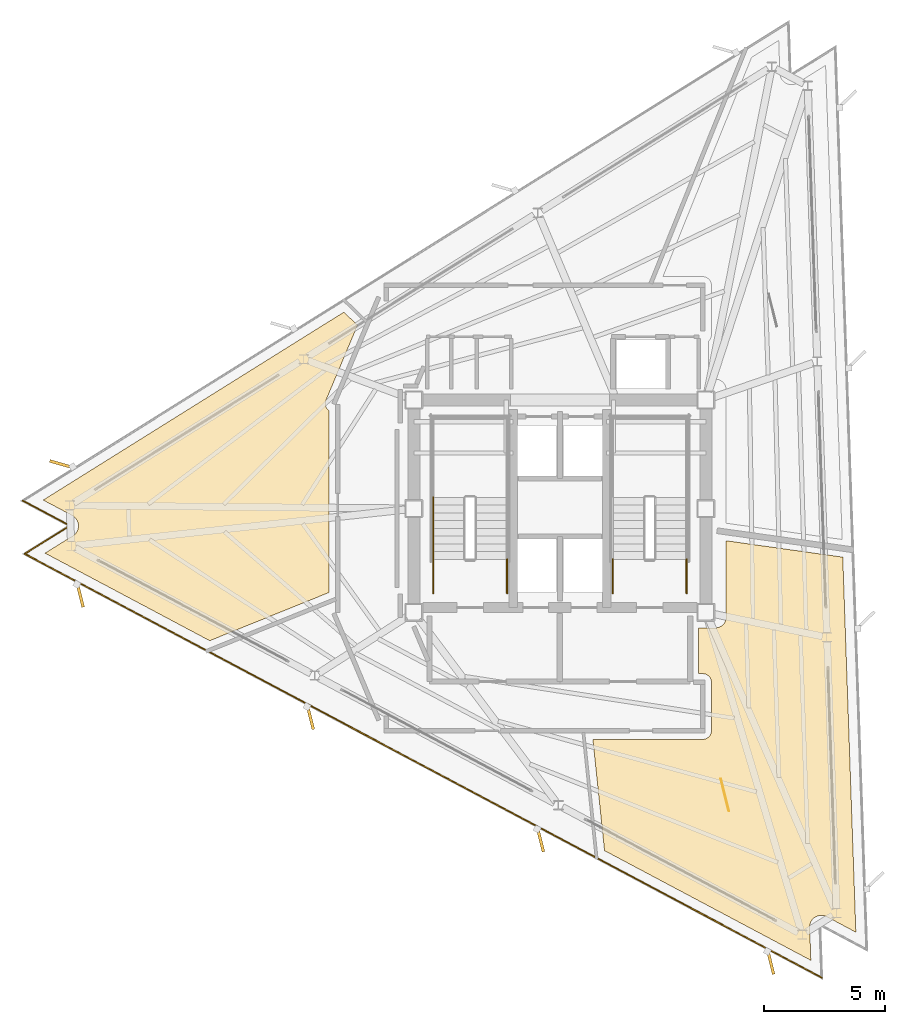
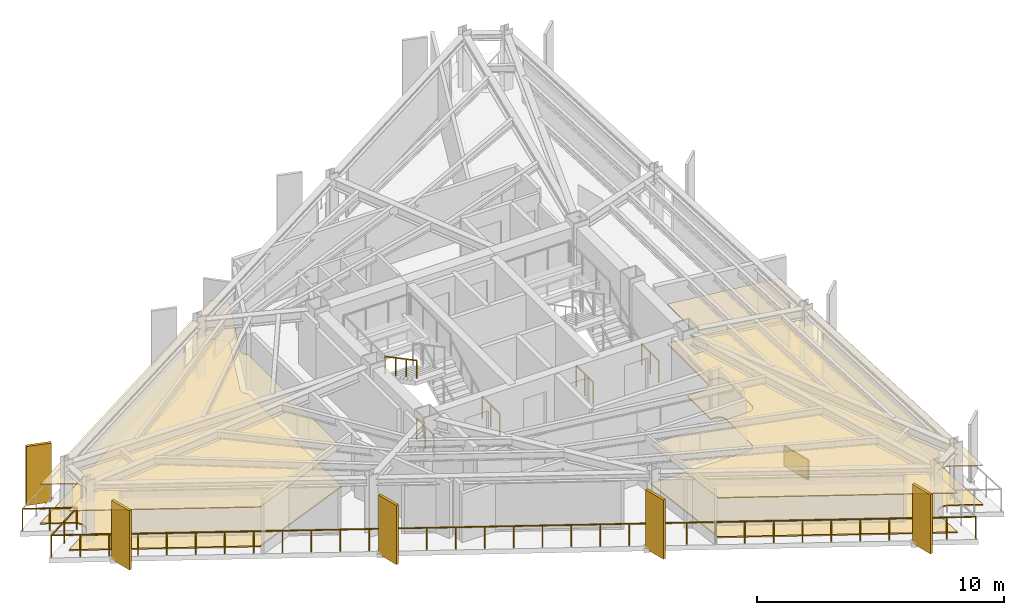
# One storey, part 11 of 13: 6 railings, 5 coverings, 5 shading devices.
"""IFC4 building model written with IfcOpenShell, lengths in metres."""

from ifc_helpers import new_model, si_unit, direction, frame, origin, origin_2d, place, context, subcontext, project, spatial, polyline, rectangle, outline, extrude, material, layer, layer_set, type_object, element, save


model = new_model("IFC4")

# Units and contexts
model_context = context("Model", 3, precision=1e-05, world=origin(), true_north=direction((0.0, 1.0)))
body_context = subcontext(model_context, "Body", "Model", "MODEL_VIEW")
ifc_project = project(units=[si_unit("LENGTHUNIT", "METRE"), si_unit("AREAUNIT", "SQUARE_METRE"), si_unit("VOLUMEUNIT", "CUBIC_METRE"), si_unit("PLANEANGLEUNIT", "RADIAN"), si_unit("MASSUNIT", "GRAM", prefix="KILO")], contexts=[model_context])

# Site, building, storey
site_placement = place(None, origin())
site = spatial("IfcSite", under=ifc_project, at=site_placement, CompositionType="ELEMENT")
building_placement = place(site_placement, origin())
building = spatial("IfcBuilding", under=site, at=building_placement, Name="Rocaltana Carrier Exchange", CompositionType="ELEMENT")
storey_placement = place(building_placement, frame((0.0, 0.0, 202.719970703125)))
storey = spatial("IfcBuildingStorey", under=building, at=storey_placement, Name="L64", CompositionType="ELEMENT", Elevation=202.719970703125)

# Coverings
ifc_material_1 = material(Name="Calcium Sulphate & Aluminium Pedestal", Category="aluminium")
ifc_layer_1 = layer(ifc_material_1, 0.06005859375)
ifc_layer_set_1 = layer_set([ifc_layer_1], Name="Calcium Sulphate & Aluminium Pedestal")
covering_type_1 = type_object("IfcCoveringType", Name="Anti-Static Raised Exchange Access Floor 60", PredefinedType="FLOORING", material=ifc_layer_set_1)
covering_1_placement = place(storey_placement, origin())
element("IfcCovering", 1, at=covering_1_placement, inside=storey, type_object=covering_type_1, Name="L64 Quiet Focus Lounge Finish Floor", PredefinedType="FLOORING", context=body_context, shape_type="SweptSolid", body=[
    extrude(outline(polyline([(5.739990234375, -6.840087890625), (5.739990234375, -4.93994140625), (6.449951171875, -4.93994140625), (6.463623046875, -4.939697265625), (6.4794921875, -4.93896484375), (6.5068359375, -4.936279296875), (6.522216796875, -4.933837890625), (6.54931640625, -4.928466796875), (6.564453125, -4.9248046875), (6.5908203125, -4.916748046875), (6.605712890625, -4.91162109375), (6.630859375, -4.90087890625), (6.64501953125, -4.894287109375), (6.66943359375, -4.88134765625), (6.682861328125, -4.873291015625), (6.705810546875, -4.85791015625), (6.71826171875, -4.8486328125), (6.739501953125, -4.8310546875), (6.751220703125, -4.820556640625), (6.7705078125, -4.80126953125), (6.781005859375, -4.78955078125), (6.798583984375, -4.768310546875), (6.807861328125, -4.755615234375), (6.8232421875, -4.73291015625), (6.831298828125, -4.719482421875), (6.84423828125, -4.695068359375), (6.850830078125, -4.680908203125), (6.861572265625, -4.655517578125), (6.86669921875, -4.640869140625), (6.874755859375, -4.614501953125), (6.87841796875, -4.59912109375), (6.8837890625, -4.572265625), (6.88623046875, -4.556884765625), (6.888916015625, -4.529296875), (6.8896484375, -4.513671875), (6.889892578125, -4.5), (6.889892578125, -1.331787109375), (11.7216796875, -2.010986328125), (12.264404296875, -17.55126953125), (11.055908203125, -16.90869140625), (11.04345703125, -16.902587890625), (11.025390625, -16.89404296875), (10.99951171875, -16.883544921875), (10.980712890625, -16.876708984375), (10.9541015625, -16.868896484375), (10.9345703125, -16.8642578125), (10.9072265625, -16.85888671875), (10.887451171875, -16.856201171875), (10.859619140625, -16.853515625), (10.83984375, -16.852783203125), (10.81201171875, -16.85302734375), (10.7919921875, -16.854248046875), (10.76416015625, -16.857421875), (10.744384765625, -16.860595703125), (10.71728515625, -16.8662109375), (10.697998046875, -16.871337890625), (10.67138671875, -16.8798828125), (10.652587890625, -16.886962890625), (10.627197265625, -16.89794921875), (10.609130859375, -16.906982421875), (10.584716796875, -16.92041015625), (10.56787109375, -16.930908203125), (10.544921875, -16.947021484375), (10.529296875, -16.959228515625), (10.508056640625, -16.977294921875), (10.49365234375, -16.990966796875), (10.474365234375, -17.01123046875), (10.461181640625, -17.0263671875), (10.444091796875, -17.04833984375), (10.4326171875, -17.064697265625), (10.41748046875, -17.088134765625), (10.407958984375, -17.105712890625), (10.3955078125, -17.130615234375), (10.38720703125, -17.148681640625), (10.37744140625, -17.1748046875), (10.37109375, -17.19384765625), (10.364013671875, -17.220703125), (10.359619140625, -17.240234375), (10.35498046875, -17.267822265625), (10.352783203125, -17.28759765625), (10.35107421875, -17.3154296875), (10.350830078125, -17.33544921875), (10.350830078125, -17.349365234375), (10.398681640625, -18.717041015625), (1.8515625, -14.172607421875), (1.36669921875, -9.56005859375), (5.919921875, -9.56005859375), (5.93359375, -9.559814453125), (5.941650390625, -9.559326171875), (5.968994140625, -9.556640625), (5.976806640625, -9.555419921875), (6.003662109375, -9.550048828125), (6.01123046875, -9.548095703125), (6.03759765625, -9.540283203125), (6.044921875, -9.53759765625), (6.0703125, -9.527099609375), (6.077392578125, -9.523681640625), (6.101806640625, -9.5107421875), (6.1083984375, -9.506591796875), (6.131103515625, -9.491455078125), (6.137451171875, -9.48681640625), (6.15869140625, -9.46923828125), (6.16455078125, -9.464111328125), (6.18408203125, -9.444580078125), (6.189208984375, -9.438720703125), (6.206787109375, -9.41748046875), (6.21142578125, -9.4111328125), (6.226806640625, -9.388427734375), (6.230712890625, -9.381591796875), (6.24365234375, -9.357421875), (6.2470703125, -9.350341796875), (6.257568359375, -9.324951171875), (6.26025390625, -9.317626953125), (6.268310546875, -9.291259765625), (6.27001953125, -9.28369140625), (6.275390625, -9.256591796875), (6.276611328125, -9.248779296875), (6.279296875, -9.2216796875), (6.27978515625, -9.213623046875), (6.280029296875, -9.199951171875), (6.280029296875, -7.199951171875), (6.27978515625, -7.186279296875), (6.279296875, -7.178466796875), (6.276611328125, -7.151123046875), (6.275390625, -7.143310546875), (6.27001953125, -7.116455078125), (6.268310546875, -7.108642578125), (6.26025390625, -7.08251953125), (6.257568359375, -7.0751953125), (6.2470703125, -7.0498046875), (6.24365234375, -7.04248046875), (6.230712890625, -7.018310546875), (6.226806640625, -7.01171875), (6.21142578125, -6.98876953125), (6.206787109375, -6.982421875), (6.189208984375, -6.961181640625), (6.18408203125, -6.955322265625), (6.16455078125, -6.93603515625), (6.15869140625, -6.9306640625), (6.137451171875, -6.913330078125), (6.131103515625, -6.90869140625), (6.1083984375, -6.893310546875), (6.101806640625, -6.889404296875), (6.077392578125, -6.876220703125), (6.0703125, -6.873046875), (6.044921875, -6.862548828125), (6.03759765625, -6.85986328125), (6.01123046875, -6.851806640625), (6.003662109375, -6.849853515625), (5.976806640625, -6.844482421875), (5.968994140625, -6.843505859375), (5.941650390625, -6.8408203125), (5.93359375, -6.84033203125), (5.919921875, -6.840087890625), (5.739990234375, -6.840087890625)])), origin(), (0.0, 0.0, 1.0), 0.06005859375),
])
covering_2_placement = place(storey_placement, origin())
element("IfcCovering", 2, at=covering_2_placement, inside=storey, type_object=covering_type_1, Name="L64 Quiet Focus Lounge Finish Floor", PredefinedType="FLOORING", context=body_context, shape_type="SweptSolid", body=[
    extrude(outline(polyline([(-20.17138671875, -1.120361328125), (-20.15966796875, -1.11279296875), (-20.143310546875, -1.101318359375), (-20.121337890625, -1.084228515625), (-20.106201171875, -1.0712890625), (-20.085693359375, -1.052001953125), (-20.072021484375, -1.03759765625), (-20.0537109375, -1.0166015625), (-20.04150390625, -1.000732421875), (-20.025390625, -0.97802734375), (-20.014892578125, -0.961181640625), (-20.001220703125, -0.936767578125), (-19.9921875, -0.9189453125), (-19.98095703125, -0.893310546875), (-19.973876953125, -0.874755859375), (-19.965087890625, -0.848388671875), (-19.9599609375, -0.8291015625), (-19.9541015625, -0.8017578125), (-19.95068359375, -0.781982421875), (-19.947509765625, -0.75439453125), (-19.9462890625, -0.734375), (-19.94580078125, -0.70654296875), (-19.946533203125, -0.6865234375), (-19.948974609375, -0.65869140625), (-19.95166015625, -0.638916015625), (-19.956787109375, -0.611572265625), (-19.96142578125, -0.59228515625), (-19.96923828125, -0.5654296875), (-19.9755859375, -0.546630859375), (-19.986083984375, -0.520751953125), (-19.99462890625, -0.502685546875), (-20.007568359375, -0.477783203125), (-20.017578125, -0.460693359375), (-20.033203125, -0.4375), (-20.044921875, -0.42138671875), (-20.0625, -0.399658203125), (-20.07568359375, -0.385009765625), (-20.095458984375, -0.364990234375), (-20.1103515625, -0.351806640625), (-20.1318359375, -0.333984375), (-20.14794921875, -0.322021484375), (-20.171142578125, -0.306640625), (-20.188232421875, -0.29638671875), (-20.2001953125, -0.28955078125), (-21.40869140625, 0.35302734375), (-8.947265625, 8.139892578125), (-8.384765625, 7.596435546875), (-9.69091796875, 4.489990234375), (-9.69580078125, 4.47705078125), (-9.698486328125, 4.4697265625), (-9.706787109375, 4.443603515625), (-9.70849609375, 4.435791015625), (-9.714111328125, 4.408935546875), (-9.71533203125, 4.401123046875), (-9.71826171875, 4.373779296875), (-9.718505859375, 4.365966796875), (-9.71875, 4.33837890625), (-9.718505859375, 4.330810546875), (-9.7158203125, 4.30322265625), (-9.714599609375, 4.295654296875), (-9.70947265625, 4.2685546875), (-9.70751953125, 4.260986328125), (-9.69970703125, 4.234619140625), (-9.697265625, 4.227294921875), (-9.686767578125, 4.201904296875), (-9.68359375, 4.194580078125), (-9.670654296875, 4.17041015625), (-9.666748046875, 4.16357421875), (-9.651611328125, 4.140625), (-9.64697265625, 4.134521484375), (-9.629638671875, 4.113037109375), (-9.624267578125, 4.107177734375), (-9.60498046875, 4.087646484375), (-9.59912109375, 4.082275390625), (-9.578125, 4.064697265625), (-9.57177734375, 4.06005859375), (-9.56005859375, 4.052001953125), (-9.56005859375, -3.47412109375), (-14.5087890625, -5.4736328125), (-21.33203125, -1.845703125), (-20.17138671875, -1.120361328125)])), origin(), (0.0, 0.0, 1.0), 0.06005859375),
])
ifc_material_2 = material(Name="Mineral Fibre & Powder-Coated Aluminium", Category="aluminium")
ifc_layer_2 = layer(ifc_material_2, 0.044921875)
ifc_layer_set_2 = layer_set([ifc_layer_2], Name="Mineral Fibre & Powder-Coated Aluminium")
covering_type_2 = type_object("IfcCoveringType", Name="Micro-Perforated Acoustic Ceiling 45", PredefinedType="CEILING", material=ifc_layer_set_2)
covering_3_placement = place(storey_placement, frame((0.0, 0.0, 1.943115234375)))
element("IfcCovering", 3, at=covering_3_placement, inside=storey, type_object=covering_type_2, Name="L64 Quiet Focus Lounge Acoustic Ceiling", PredefinedType="CEILING", context=body_context, shape_type="SweptSolid", body=[
    extrude(outline(polyline([(5.739990234375, -6.840087890625), (5.739990234375, -4.93994140625), (6.449951171875, -4.93994140625), (6.463623046875, -4.939697265625), (6.4794921875, -4.93896484375), (6.5068359375, -4.936279296875), (6.522216796875, -4.933837890625), (6.54931640625, -4.928466796875), (6.564453125, -4.9248046875), (6.5908203125, -4.916748046875), (6.605712890625, -4.91162109375), (6.630859375, -4.90087890625), (6.64501953125, -4.894287109375), (6.66943359375, -4.88134765625), (6.682861328125, -4.873291015625), (6.705810546875, -4.85791015625), (6.71826171875, -4.8486328125), (6.739501953125, -4.8310546875), (6.751220703125, -4.820556640625), (6.7705078125, -4.80126953125), (6.781005859375, -4.78955078125), (6.798583984375, -4.768310546875), (6.807861328125, -4.755615234375), (6.8232421875, -4.73291015625), (6.831298828125, -4.719482421875), (6.84423828125, -4.695068359375), (6.850830078125, -4.680908203125), (6.861572265625, -4.655517578125), (6.86669921875, -4.640869140625), (6.874755859375, -4.614501953125), (6.87841796875, -4.59912109375), (6.8837890625, -4.572265625), (6.88623046875, -4.556884765625), (6.888916015625, -4.529296875), (6.8896484375, -4.513671875), (6.889892578125, -4.5), (6.889892578125, -1.331787109375), (11.7216796875, -2.010986328125), (12.264404296875, -17.55126953125), (11.055908203125, -16.90869140625), (11.04345703125, -16.902587890625), (11.025390625, -16.89404296875), (10.99951171875, -16.883544921875), (10.980712890625, -16.876708984375), (10.9541015625, -16.868896484375), (10.9345703125, -16.8642578125), (10.9072265625, -16.85888671875), (10.887451171875, -16.856201171875), (10.859619140625, -16.853515625), (10.83984375, -16.852783203125), (10.81201171875, -16.85302734375), (10.7919921875, -16.854248046875), (10.76416015625, -16.857421875), (10.744384765625, -16.860595703125), (10.71728515625, -16.8662109375), (10.697998046875, -16.871337890625), (10.67138671875, -16.8798828125), (10.652587890625, -16.886962890625), (10.627197265625, -16.89794921875), (10.609130859375, -16.906982421875), (10.584716796875, -16.92041015625), (10.56787109375, -16.930908203125), (10.544921875, -16.947021484375), (10.529296875, -16.959228515625), (10.508056640625, -16.977294921875), (10.49365234375, -16.990966796875), (10.474365234375, -17.01123046875), (10.461181640625, -17.0263671875), (10.444091796875, -17.04833984375), (10.4326171875, -17.064697265625), (10.41748046875, -17.088134765625), (10.407958984375, -17.105712890625), (10.3955078125, -17.130615234375), (10.38720703125, -17.148681640625), (10.37744140625, -17.1748046875), (10.37109375, -17.19384765625), (10.364013671875, -17.220703125), (10.359619140625, -17.240234375), (10.35498046875, -17.267822265625), (10.352783203125, -17.28759765625), (10.35107421875, -17.3154296875), (10.350830078125, -17.33544921875), (10.350830078125, -17.349365234375), (10.398681640625, -18.717041015625), (1.8515625, -14.172607421875), (1.36669921875, -9.56005859375), (5.919921875, -9.56005859375), (5.93359375, -9.559814453125), (5.941650390625, -9.559326171875), (5.968994140625, -9.556640625), (5.976806640625, -9.555419921875), (6.003662109375, -9.550048828125), (6.01123046875, -9.548095703125), (6.03759765625, -9.540283203125), (6.044921875, -9.53759765625), (6.0703125, -9.527099609375), (6.077392578125, -9.523681640625), (6.101806640625, -9.5107421875), (6.1083984375, -9.506591796875), (6.131103515625, -9.491455078125), (6.137451171875, -9.48681640625), (6.15869140625, -9.46923828125), (6.16455078125, -9.464111328125), (6.18408203125, -9.444580078125), (6.189208984375, -9.438720703125), (6.206787109375, -9.41748046875), (6.21142578125, -9.4111328125), (6.226806640625, -9.388427734375), (6.230712890625, -9.381591796875), (6.24365234375, -9.357421875), (6.2470703125, -9.350341796875), (6.257568359375, -9.324951171875), (6.26025390625, -9.317626953125), (6.268310546875, -9.291259765625), (6.27001953125, -9.28369140625), (6.275390625, -9.256591796875), (6.276611328125, -9.248779296875), (6.279296875, -9.2216796875), (6.27978515625, -9.213623046875), (6.280029296875, -9.199951171875), (6.280029296875, -7.199951171875), (6.27978515625, -7.186279296875), (6.279296875, -7.178466796875), (6.276611328125, -7.151123046875), (6.275390625, -7.143310546875), (6.27001953125, -7.116455078125), (6.268310546875, -7.108642578125), (6.26025390625, -7.08251953125), (6.257568359375, -7.0751953125), (6.2470703125, -7.0498046875), (6.24365234375, -7.04248046875), (6.230712890625, -7.018310546875), (6.226806640625, -7.01171875), (6.21142578125, -6.98876953125), (6.206787109375, -6.982421875), (6.189208984375, -6.961181640625), (6.18408203125, -6.955322265625), (6.16455078125, -6.93603515625), (6.15869140625, -6.9306640625), (6.137451171875, -6.913330078125), (6.131103515625, -6.90869140625), (6.1083984375, -6.893310546875), (6.101806640625, -6.889404296875), (6.077392578125, -6.876220703125), (6.0703125, -6.873046875), (6.044921875, -6.862548828125), (6.03759765625, -6.85986328125), (6.01123046875, -6.851806640625), (6.003662109375, -6.849853515625), (5.976806640625, -6.844482421875), (5.968994140625, -6.843505859375), (5.941650390625, -6.8408203125), (5.93359375, -6.84033203125), (5.919921875, -6.840087890625), (5.739990234375, -6.840087890625)])), origin(), (0.0, 0.0, 1.0), 0.044921875),
])
covering_4_placement = place(storey_placement, frame((0.0, 0.0, 1.943115234375)))
element("IfcCovering", 4, at=covering_4_placement, inside=storey, type_object=covering_type_2, Name="L64 Quiet Focus Lounge Acoustic Ceiling", PredefinedType="CEILING", context=body_context, shape_type="SweptSolid", body=[
    extrude(outline(polyline([(-20.17138671875, -1.120361328125), (-20.15966796875, -1.11279296875), (-20.143310546875, -1.101318359375), (-20.121337890625, -1.084228515625), (-20.106201171875, -1.0712890625), (-20.085693359375, -1.052001953125), (-20.072021484375, -1.03759765625), (-20.0537109375, -1.0166015625), (-20.04150390625, -1.000732421875), (-20.025390625, -0.97802734375), (-20.014892578125, -0.961181640625), (-20.001220703125, -0.936767578125), (-19.9921875, -0.9189453125), (-19.98095703125, -0.893310546875), (-19.973876953125, -0.874755859375), (-19.965087890625, -0.848388671875), (-19.9599609375, -0.8291015625), (-19.9541015625, -0.8017578125), (-19.95068359375, -0.781982421875), (-19.947509765625, -0.75439453125), (-19.9462890625, -0.734375), (-19.94580078125, -0.70654296875), (-19.946533203125, -0.6865234375), (-19.948974609375, -0.65869140625), (-19.95166015625, -0.638916015625), (-19.956787109375, -0.611572265625), (-19.96142578125, -0.59228515625), (-19.96923828125, -0.5654296875), (-19.9755859375, -0.546630859375), (-19.986083984375, -0.520751953125), (-19.99462890625, -0.502685546875), (-20.007568359375, -0.477783203125), (-20.017578125, -0.460693359375), (-20.033203125, -0.4375), (-20.044921875, -0.42138671875), (-20.0625, -0.399658203125), (-20.07568359375, -0.385009765625), (-20.095458984375, -0.364990234375), (-20.1103515625, -0.351806640625), (-20.1318359375, -0.333984375), (-20.14794921875, -0.322021484375), (-20.171142578125, -0.306640625), (-20.188232421875, -0.29638671875), (-20.2001953125, -0.28955078125), (-21.40869140625, 0.35302734375), (-8.947265625, 8.139892578125), (-8.384765625, 7.596435546875), (-9.69091796875, 4.489990234375), (-9.69580078125, 4.47705078125), (-9.698486328125, 4.4697265625), (-9.706787109375, 4.443603515625), (-9.70849609375, 4.435791015625), (-9.714111328125, 4.408935546875), (-9.71533203125, 4.401123046875), (-9.71826171875, 4.373779296875), (-9.718505859375, 4.365966796875), (-9.71875, 4.33837890625), (-9.718505859375, 4.330810546875), (-9.7158203125, 4.30322265625), (-9.714599609375, 4.295654296875), (-9.70947265625, 4.2685546875), (-9.70751953125, 4.260986328125), (-9.69970703125, 4.234619140625), (-9.697265625, 4.227294921875), (-9.686767578125, 4.201904296875), (-9.68359375, 4.194580078125), (-9.670654296875, 4.17041015625), (-9.666748046875, 4.16357421875), (-9.651611328125, 4.140625), (-9.64697265625, 4.134521484375), (-9.629638671875, 4.113037109375), (-9.624267578125, 4.107177734375), (-9.60498046875, 4.087646484375), (-9.59912109375, 4.082275390625), (-9.578125, 4.064697265625), (-9.57177734375, 4.06005859375), (-9.56005859375, 4.052001953125), (-9.56005859375, -3.47412109375), (-14.5087890625, -5.4736328125), (-21.33203125, -1.845703125), (-20.17138671875, -1.120361328125)])), origin(), (0.0, 0.0, 1.0), 0.044921875),
])

# Railings
ifc_material_3 = material(Name="Brushed Architectural Stainless Tube", Category="steel")
ifc_layer_3 = layer(ifc_material_3, 0.048095703125)
ifc_layer_set_3 = layer_set([ifc_layer_3], Name="Brushed Architectural Stainless Tube")
railing_type_1 = type_object("IfcRailingType", Name="Stair Wall Handrail 920", PredefinedType="HANDRAIL", material=ifc_layer_set_3)
railing_1_placement = place(storey_placement, frame((-5.25, 0.4599609375, 1.68896484375)))
element("IfcRailing", 5, at=railing_1_placement, inside=storey, type_object=railing_type_1, Name="L64 ST-1 stair handrail 2", PredefinedType="HANDRAIL", context=body_context, shape_type="SweptSolid", body=[
    extrude(rectangle(XDim=0.048095703125, YDim=0.048095703125, at=origin_2d()), frame((0.0, 0.0, 0.8759765625), z_axis=(0.0, -0.884394423565, 0.466740295633), x_axis=(1.0, 0.0, 0.0)), (0.0, 0.0, 1.0), 2.894775390625),
    extrude(rectangle(XDim=0.0419921875, YDim=0.0419921875, at=origin_2d()), origin(), (0.0, 0.0, 1.0), 0.851806640625),
    extrude(rectangle(XDim=0.0419921875, YDim=0.0419921875, at=origin_2d()), frame((0.0, -0.853271484375, 0.450439453125)), (0.0, 0.0, 1.0), 0.851806640625),
    extrude(rectangle(XDim=0.0419921875, YDim=0.0419921875, at=origin_2d()), frame((0.0, -1.706787109375, 0.900634765625)), (0.0, 0.0, 1.0), 0.851806640625),
    extrude(rectangle(XDim=0.0419921875, YDim=0.0419921875, at=origin_2d()), frame((0.0, -2.56005859375, 1.35107421875)), (0.0, 0.0, 1.0), 0.851806640625),
])
ifc_material_4 = material(Name="Powder-Coated Aluminium 6063-T6", Category="aluminium")
ifc_layer_4 = layer(ifc_material_4, 0.048095703125)
ifc_layer_set_4 = layer_set([ifc_layer_4], Name="Powder-Coated Aluminium 6063-T6")
railing_type_2 = type_object("IfcRailingType", Name="Stair Well Guardrail 1100", PredefinedType="GUARDRAIL", material=ifc_layer_set_4)
for number, where, name in (
    (6, (-2.18994140625, -3.5, 0.0), "L64 ST-1 stair guard 8"),
    (7, (-5.25, -3.5, 0.0), "L64 ST-1 stair guard 9"),
    (8, (5.25, -3.5, 0.0), "L64 ST-2 stair guard 8"),
    (9, (2.18994140625, -3.5, 0.0), "L64 ST-2 stair guard 9"),
):
    element("IfcRailing", number, at=place(storey_placement, frame(where)), inside=storey, type_object=railing_type_2, Name=name, PredefinedType="GUARDRAIL", context=body_context, shape_type="SweptSolid", body=[
        extrude(rectangle(XDim=0.048095703125, YDim=0.048095703125, at=origin_2d()), frame((0.0, 0.0, 1.076171875), z_axis=(0.0, 1.0, 0.0), x_axis=(-1.0, 0.0, 0.0)), (0.0, 0.0, 1.0), 1.39990234375),
        extrude(rectangle(XDim=0.0419921875, YDim=0.0419921875, at=origin_2d()), origin(), (0.0, 0.0, 1.0), 1.052001953125),
        extrude(rectangle(XDim=0.0419921875, YDim=0.0419921875, at=origin_2d()), frame((0.0, 0.699951171875, 0.0)), (0.0, 0.0, 1.0), 1.052001953125),
        extrude(rectangle(XDim=0.0419921875, YDim=0.0419921875, at=origin_2d()), frame((0.0, 1.39990234375, 0.0)), (0.0, 0.0, 1.0), 1.052001953125),
    ])

# Covering
ifc_material_5 = material(Name="Honed Piedra Muneca Sandstone", Category="masonry")
ifc_layer_5 = layer(ifc_material_5, 0.034912109375)
ifc_layer_set_5 = layer_set([ifc_layer_5], Name="Honed Piedra Muneca Sandstone")
covering_type_3 = type_object("IfcCoveringType", Name="Stone Facade Cladding 35", PredefinedType="CLADDING", material=ifc_layer_set_5)
covering_5_placement = place(storey_placement, frame((6.83740234375, -11.8662109375, 0.0), z_axis=(0.0, 0.0, 1.0), x_axis=(-0.2419218956, 0.970295726276, 0.0)))
element("IfcCovering", 10, at=covering_5_placement, inside=storey, type_object=covering_type_3, Name="L64 Stone Facade Cladding Panel 2", PredefinedType="CLADDING", context=body_context, shape_type="SweptSolid", body=[
    extrude(rectangle(XDim=1.39990234375, YDim=0.034912109375, at=origin_2d()), origin(), (0.0, 0.0, 1.0), 1.050048828125),
])

# Shading devices
ifc_material_6 = material(Name="Honed Bogota Sandstone & Concrete C45/55", Category="masonry")
ifc_layer_6 = layer(ifc_material_6, 0.1201171875)
ifc_layer_set_6 = layer_set([ifc_layer_6], Name="Honed Bogota Sandstone & Concrete C45/55")
shading_device_type = type_object("IfcShadingDeviceType", Name="Upper Sandstone Shading Fin 1050x120", PredefinedType="USERDEFINED", material=ifc_layer_set_6)
for number, where, z_axis, x_axis, name in (
    (11, (-20.62939453125, 1.8310546875, -0.119873046875), (0.0, 0.0, 1.0), (-0.961261695938, 0.275637355817, 0.0), "L64 Sandstone Vertical Fin F2-04"),
    (12, (-19.87841796875, -3.5703125, -0.119873046875), (0.0, 0.0, 1.0), (0.2419218956, -0.970295726276, 0.0), "L64 Sandstone Vertical Fin F3-01"),
    (13, (-10.342529296875, -8.640625, -0.119873046875), (0.0, 0.0, 1.0), (0.2419218956, -0.970295726276, 0.0), "L64 Sandstone Vertical Fin F3-02"),
    (14, (-0.806884765625, -13.7109375, -0.119873046875), (0.0, 0.0, 1.0), (0.2419218956, -0.970295726276, 0.0), "L64 Sandstone Vertical Fin F3-03"),
    (15, (8.72900390625, -18.78125, -0.119873046875), (0.0, 0.0, 1.0), (0.2419218956, -0.970295726276, 0.0), "L64 Sandstone Vertical Fin F3-04"),
):
    element("IfcShadingDevice", number, at=place(storey_placement, frame(where, z_axis=z_axis, x_axis=x_axis)), inside=storey, type_object=shading_device_type, Name=name, ObjectType="FIN", PredefinedType="USERDEFINED", context=body_context, shape_type="SweptSolid", body=[
        extrude(rectangle(XDim=1.050048828125, YDim=0.1201171875, at=origin_2d()), origin(), (0.0, 0.0, 1.0), 2.91796875),
    ])

# Railing
ifc_material_7 = material(Name="Powder-Coated Aluminium 6063-T6", Category="aluminium")
ifc_layer_7 = layer(ifc_material_7, 0.06005859375)
ifc_layer_set_7 = layer_set([ifc_layer_7], Name="Powder-Coated Aluminium 6063-T6")
railing_type_3 = type_object("IfcRailingType", Name="Wind-Floor & Terrace Perimeter Guardrail 1100", PredefinedType="GUARDRAIL", material=ifc_layer_set_7)
railing_2_placement = place(storey_placement, frame((10.84375, -19.429443359375, 0.0)))
element("IfcRailing", 16, at=railing_2_placement, inside=storey, type_object=railing_type_3, Name="L64 Perimeter Balcony Guardrail 1", PredefinedType="GUARDRAIL", context=body_context, shape_type="SweptSolid", body=[
    extrude(rectangle(XDim=0.048095703125, YDim=0.048095703125, at=origin_2d()), frame((0.0, 0.0, 1.076171875), z_axis=(-0.882949211739, 0.469468518103, 0.0), x_axis=(-0.469468518103, -0.882949211739, 0.0)), (0.0, 0.0, 1.0), 37.39208984375),
    extrude(rectangle(XDim=0.048095703125, YDim=0.048095703125, at=origin_2d()), frame((-33.015380859375, 17.554443359375, 1.076171875), z_axis=(0.848010771987, 0.52997899071, 0.0), x_axis=(-0.52997899071, 0.848010771987, 0.0)), (0.0, 0.0, 1.0), 2.2001953125),
    extrude(rectangle(XDim=0.048095703125, YDim=0.048095703125, at=origin_2d()), frame((-31.149658203125, 18.720458984375, 1.076171875), z_axis=(-0.882960484464, 0.4694473164, 0.0), x_axis=(-0.4694473164, -0.882960484464, 0.0)), (0.0, 0.0, 1.0), 2.199951171875),
    extrude(rectangle(XDim=0.0419921875, YDim=0.0419921875, at=origin_2d()), origin(), (0.0, 0.0, 1.0), 1.052001953125),
    extrude(rectangle(XDim=0.0419921875, YDim=0.0419921875, at=origin_2d()), frame((-1.03173828125, 0.548583984375, 0.0)), (0.0, 0.0, 1.0), 1.052001953125),
    extrude(rectangle(XDim=0.0419921875, YDim=0.0419921875, at=origin_2d()), frame((-2.0634765625, 1.09716796875, 0.0)), (0.0, 0.0, 1.0), 1.052001953125),
    extrude(rectangle(XDim=0.0419921875, YDim=0.0419921875, at=origin_2d()), frame((-3.09521484375, 1.645751953125, 0.0)), (0.0, 0.0, 1.0), 1.052001953125),
    extrude(rectangle(XDim=0.0419921875, YDim=0.0419921875, at=origin_2d()), frame((-4.126953125, 2.1943359375, 0.0)), (0.0, 0.0, 1.0), 1.052001953125),
    extrude(rectangle(XDim=0.0419921875, YDim=0.0419921875, at=origin_2d()), frame((-5.15869140625, 2.742919921875, 0.0)), (0.0, 0.0, 1.0), 1.052001953125),
    extrude(rectangle(XDim=0.0419921875, YDim=0.0419921875, at=origin_2d()), frame((-6.1904296875, 3.29150390625, 0.0)), (0.0, 0.0, 1.0), 1.052001953125),
    extrude(rectangle(XDim=0.0419921875, YDim=0.0419921875, at=origin_2d()), frame((-7.22216796875, 3.840087890625, 0.0)), (0.0, 0.0, 1.0), 1.052001953125),
    extrude(rectangle(XDim=0.0419921875, YDim=0.0419921875, at=origin_2d()), frame((-8.25390625, 4.388671875, 0.0)), (0.0, 0.0, 1.0), 1.052001953125),
    extrude(rectangle(XDim=0.0419921875, YDim=0.0419921875, at=origin_2d()), frame((-9.28564453125, 4.937255859375, 0.0)), (0.0, 0.0, 1.0), 1.052001953125),
    extrude(rectangle(XDim=0.0419921875, YDim=0.0419921875, at=origin_2d()), frame((-10.3173828125, 5.48583984375, 0.0)), (0.0, 0.0, 1.0), 1.052001953125),
    extrude(rectangle(XDim=0.0419921875, YDim=0.0419921875, at=origin_2d()), frame((-11.34912109375, 6.034423828125, 0.0)), (0.0, 0.0, 1.0), 1.052001953125),
    extrude(rectangle(XDim=0.0419921875, YDim=0.0419921875, at=origin_2d()), frame((-12.380859375, 6.5830078125, 0.0)), (0.0, 0.0, 1.0), 1.052001953125),
    extrude(rectangle(XDim=0.0419921875, YDim=0.0419921875, at=origin_2d()), frame((-13.41259765625, 7.131591796875, 0.0)), (0.0, 0.0, 1.0), 1.052001953125),
    extrude(rectangle(XDim=0.0419921875, YDim=0.0419921875, at=origin_2d()), frame((-14.4443359375, 7.68017578125, 0.0)), (0.0, 0.0, 1.0), 1.052001953125),
    extrude(rectangle(XDim=0.0419921875, YDim=0.0419921875, at=origin_2d()), frame((-15.47607421875, 8.228759765625, 0.0)), (0.0, 0.0, 1.0), 1.052001953125),
    extrude(rectangle(XDim=0.0419921875, YDim=0.0419921875, at=origin_2d()), frame((-16.5078125, 8.77734375, 0.0)), (0.0, 0.0, 1.0), 1.052001953125),
    extrude(rectangle(XDim=0.0419921875, YDim=0.0419921875, at=origin_2d()), frame((-17.539306640625, 9.32568359375, 0.0)), (0.0, 0.0, 1.0), 1.052001953125),
    extrude(rectangle(XDim=0.0419921875, YDim=0.0419921875, at=origin_2d()), frame((-18.571044921875, 9.874267578125, 0.0)), (0.0, 0.0, 1.0), 1.052001953125),
    extrude(rectangle(XDim=0.0419921875, YDim=0.0419921875, at=origin_2d()), frame((-19.602783203125, 10.4228515625, 0.0)), (0.0, 0.0, 1.0), 1.052001953125),
    extrude(rectangle(XDim=0.0419921875, YDim=0.0419921875, at=origin_2d()), frame((-20.634521484375, 10.971435546875, 0.0)), (0.0, 0.0, 1.0), 1.052001953125),
    extrude(rectangle(XDim=0.0419921875, YDim=0.0419921875, at=origin_2d()), frame((-21.666259765625, 11.52001953125, 0.0)), (0.0, 0.0, 1.0), 1.052001953125),
    extrude(rectangle(XDim=0.0419921875, YDim=0.0419921875, at=origin_2d()), frame((-22.697998046875, 12.068603515625, 0.0)), (0.0, 0.0, 1.0), 1.052001953125),
    extrude(rectangle(XDim=0.0419921875, YDim=0.0419921875, at=origin_2d()), frame((-23.729736328125, 12.6171875, 0.0)), (0.0, 0.0, 1.0), 1.052001953125),
    extrude(rectangle(XDim=0.0419921875, YDim=0.0419921875, at=origin_2d()), frame((-24.761474609375, 13.165771484375, 0.0)), (0.0, 0.0, 1.0), 1.052001953125),
    extrude(rectangle(XDim=0.0419921875, YDim=0.0419921875, at=origin_2d()), frame((-25.793212890625, 13.71435546875, 0.0)), (0.0, 0.0, 1.0), 1.052001953125),
    extrude(rectangle(XDim=0.0419921875, YDim=0.0419921875, at=origin_2d()), frame((-26.824951171875, 14.262939453125, 0.0)), (0.0, 0.0, 1.0), 1.052001953125),
    extrude(rectangle(XDim=0.0419921875, YDim=0.0419921875, at=origin_2d()), frame((-27.856689453125, 14.8115234375, 0.0)), (0.0, 0.0, 1.0), 1.052001953125),
    extrude(rectangle(XDim=0.0419921875, YDim=0.0419921875, at=origin_2d()), frame((-28.888427734375, 15.360107421875, 0.0)), (0.0, 0.0, 1.0), 1.052001953125),
    extrude(rectangle(XDim=0.0419921875, YDim=0.0419921875, at=origin_2d()), frame((-29.920166015625, 15.90869140625, 0.0)), (0.0, 0.0, 1.0), 1.052001953125),
    extrude(rectangle(XDim=0.0419921875, YDim=0.0419921875, at=origin_2d()), frame((-30.951904296875, 16.457275390625, 0.0)), (0.0, 0.0, 1.0), 1.052001953125),
    extrude(rectangle(XDim=0.0419921875, YDim=0.0419921875, at=origin_2d()), frame((-31.983642578125, 17.005859375, 0.0)), (0.0, 0.0, 1.0), 1.052001953125),
    extrude(rectangle(XDim=0.0419921875, YDim=0.0419921875, at=origin_2d()), frame((-33.015380859375, 17.554443359375, 0.0)), (0.0, 0.0, 1.0), 1.052001953125),
    extrude(rectangle(XDim=0.0419921875, YDim=0.0419921875, at=origin_2d()), frame((-32.08251953125, 18.137451171875, 0.0)), (0.0, 0.0, 1.0), 1.052001953125),
    extrude(rectangle(XDim=0.0419921875, YDim=0.0419921875, at=origin_2d()), frame((-31.149658203125, 18.720458984375, 0.0)), (0.0, 0.0, 1.0), 1.052001953125),
    extrude(rectangle(XDim=0.0419921875, YDim=0.0419921875, at=origin_2d()), frame((-32.120849609375, 19.23681640625, 0.0)), (0.0, 0.0, 1.0), 1.052001953125),
    extrude(rectangle(XDim=0.0419921875, YDim=0.0419921875, at=origin_2d()), frame((-33.092041015625, 19.753173828125, 0.0)), (0.0, 0.0, 1.0), 1.052001953125),
])

save(model, "model.ifc")
